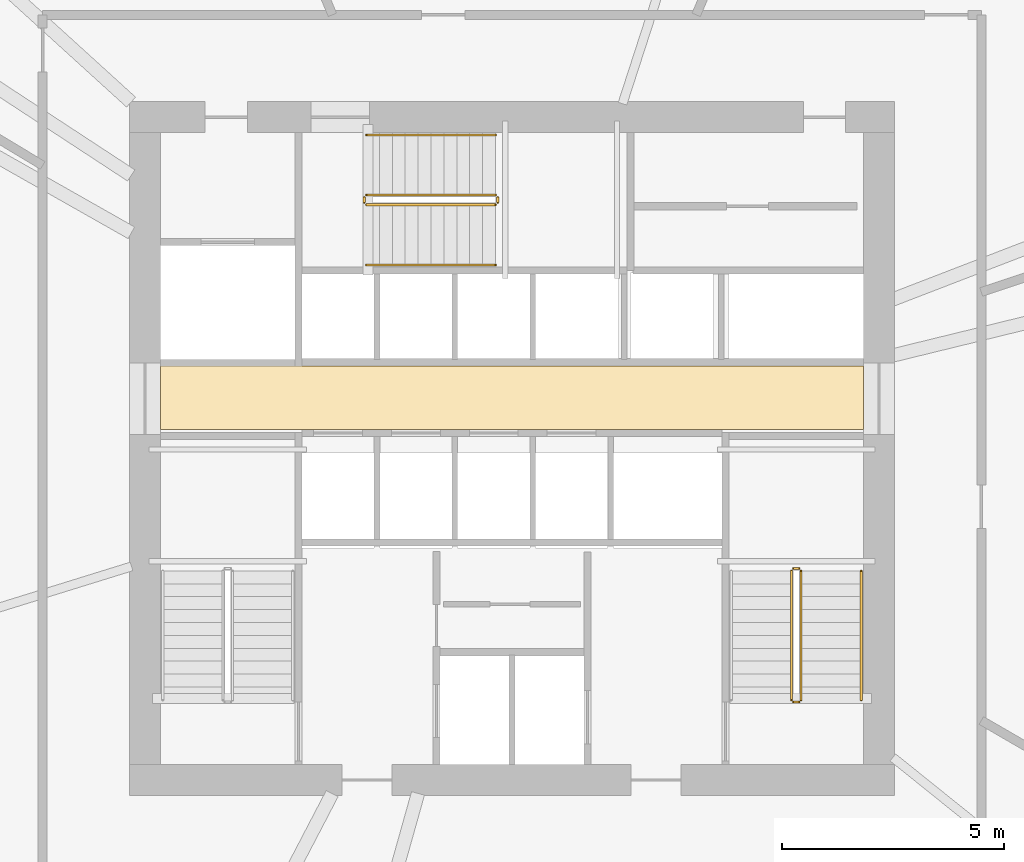
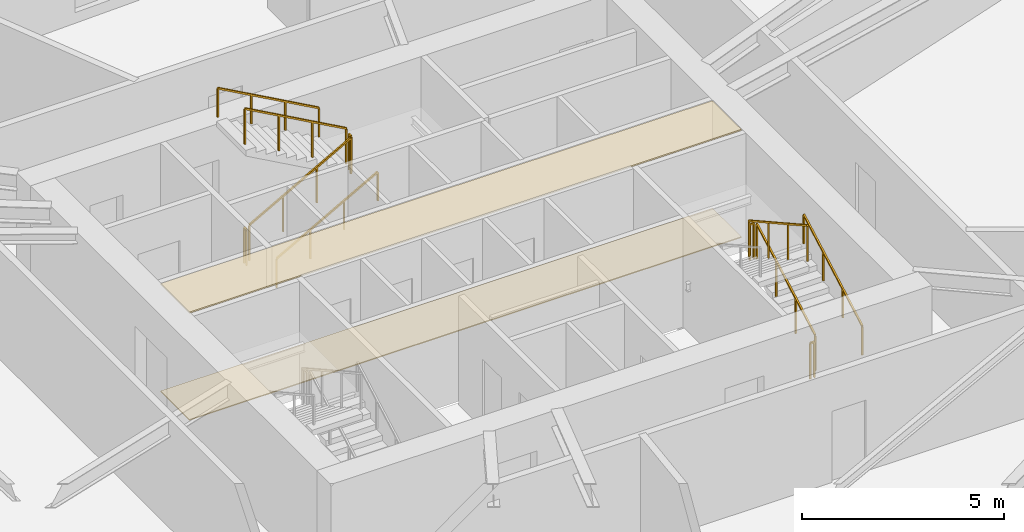
# One storey, part 18 of 19: 11 railings, 2 coverings.
"""IFC4 building model written with IfcOpenShell, lengths in metres."""

from ifc_helpers import new_model, si_unit, direction, frame, origin, origin_2d, place, context, subcontext, project, spatial, polyline, rectangle, outline, extrude, material, layer, layer_set, type_object, element, save


model = new_model("IFC4")

# Units and contexts
model_context = context("Model", 3, precision=1e-05, world=origin(), true_north=direction((0.0, 1.0)))
body_context = subcontext(model_context, "Body", "Model", "MODEL_VIEW")
ifc_project = project(units=[si_unit("LENGTHUNIT", "METRE"), si_unit("AREAUNIT", "SQUARE_METRE"), si_unit("VOLUMEUNIT", "CUBIC_METRE"), si_unit("PLANEANGLEUNIT", "RADIAN"), si_unit("MASSUNIT", "GRAM", prefix="KILO")], contexts=[model_context])

# Site, building, storey
site_placement = place(None, origin())
site = spatial("IfcSite", under=ifc_project, at=site_placement, CompositionType="ELEMENT")
building_placement = place(site_placement, origin())
building = spatial("IfcBuilding", under=site, at=building_placement, Name="Olszyna Solenne Hotel", CompositionType="ELEMENT")
storey_placement = place(building_placement, frame((0.0, 0.0, 102.14990234375)))
storey = spatial("IfcBuildingStorey", under=building, at=storey_placement, Name="L26", CompositionType="ELEMENT", Elevation=102.14990234375)

# Coverings
ifc_material_1 = material(Name="Mineral wool acoustic ceiling")
ifc_layer_1 = layer(ifc_material_1, 0.0400390625, Name="Mineral wool acoustic ceiling")
ifc_layer_set_1 = layer_set([ifc_layer_1], Name="Mineral wool acoustic ceiling")
covering_type_1 = type_object("IfcCoveringType", Name="CL-AC1", PredefinedType="CEILING", material=ifc_layer_set_1)
covering_1_placement = place(storey_placement, frame((0.0, 0.0, 3.239990234375)))
element("IfcCovering", 1, at=covering_1_placement, inside=storey, type_object=covering_type_1, Name="Lift lobby acoustic tile ceiling CL-L26-01", PredefinedType="CEILING", context=body_context, shape_type="SweptSolid", body=[
    extrude(outline(polyline([(30.10009765625, 27.030029296875), (45.89990234375, 27.030029296875), (45.89990234375, 28.4599609375), (30.10009765625, 28.4599609375), (30.10009765625, 27.030029296875)])), origin(), (0.0, 0.0, 1.0), 0.0400390625),
])
ifc_material_2 = material(Name="Ceramic floor tile")
ifc_layer_2 = layer(ifc_material_2, 0.030029296875, Name="Ceramic floor tile")
ifc_layer_set_2 = layer_set([ifc_layer_2], Name="Ceramic floor tile")
covering_type_2 = type_object("IfcCoveringType", Name="FL-TL1", PredefinedType="FLOORING", material=ifc_layer_set_2)
covering_2_placement = place(storey_placement, origin())
element("IfcCovering", 2, at=covering_2_placement, inside=storey, type_object=covering_type_2, Name="Lift lobby stoneware floor finish FLR-L26-01", PredefinedType="FLOORING", context=body_context, shape_type="SweptSolid", body=[
    extrude(outline(polyline([(30.10009765625, 27.030029296875), (45.89990234375, 27.030029296875), (45.89990234375, 28.4599609375), (30.10009765625, 28.4599609375), (30.10009765625, 27.030029296875)])), origin(), (0.0, 0.0, 1.0), 0.030029296875),
])

# Railings
ifc_material_3 = material(Name="Anodised bronze aluminium", Category="aluminium")
railing_type_1 = type_object("IfcRailingType", Name="GR-110", PredefinedType="BALUSTRADE", material=ifc_material_3)
railing_1_placement = place(storey_placement, frame((44.5, 20.949951171875, 0.161376953125)))
element("IfcRailing", 3, at=railing_1_placement, inside=storey, type_object=railing_type_1, Name="L26 ST2 stair guard 1", PredefinedType="BALUSTRADE", context=body_context, shape_type="SweptSolid", body=[
    extrude(rectangle(XDim=0.048095703125, YDim=0.048095703125, at=origin_2d()), frame((0.0, 0.0, 1.076171875), z_axis=(0.0, 0.873827439584, 0.48623616261), x_axis=(-1.0, 0.0, 0.0)), (0.0, 0.0, 1.0), 3.31884765625),
    extrude(rectangle(XDim=0.0419921875, YDim=0.0419921875, at=origin_2d()), origin(), (0.0, 0.0, 1.0), 1.052001953125),
    extrude(rectangle(XDim=0.0419921875, YDim=0.0419921875, at=origin_2d()), frame((0.0, 0.966796875, 0.537841796875)), (0.0, 0.0, 1.0), 1.052001953125),
    extrude(rectangle(XDim=0.0419921875, YDim=0.0419921875, at=origin_2d()), frame((0.0, 1.933349609375, 1.075927734375)), (0.0, 0.0, 1.0), 1.052001953125),
    extrude(rectangle(XDim=0.0419921875, YDim=0.0419921875, at=origin_2d()), frame((0.0, 2.900146484375, 1.61376953125)), (0.0, 0.0, 1.0), 1.052001953125),
])
railing_2_placement = place(storey_placement, frame((44.449951171875, 23.89990234375, 1.775146484375)))
element("IfcRailing", 4, at=railing_2_placement, inside=storey, type_object=railing_type_1, Name="L26 ST2 stair guard 2", PredefinedType="BALUSTRADE", context=body_context, shape_type="SweptSolid", body=[
    extrude(rectangle(XDim=0.048095703125, YDim=0.048095703125, at=origin_2d()), frame((0.0, 0.0, 1.076171875), z_axis=(-1.0, 0.0, 0.0), x_axis=(0.0, -1.0, 0.0)), (0.0, 0.0, 1.0), 0.119873046875),
    extrude(rectangle(XDim=0.0419921875, YDim=0.0419921875, at=origin_2d()), origin(), (0.0, 0.0, 1.0), 1.052001953125),
    extrude(rectangle(XDim=0.0419921875, YDim=0.0419921875, at=origin_2d()), frame((-0.119873046875, 0.0, 0.0)), (0.0, 0.0, 1.0), 1.052001953125),
])
railing_3_placement = place(storey_placement, frame((44.280029296875, 23.85009765625, 1.9365234375)))
element("IfcRailing", 5, at=railing_3_placement, inside=storey, type_object=railing_type_1, Name="L26 ST2 stair guard 3", PredefinedType="BALUSTRADE", context=body_context, shape_type="SweptSolid", body=[
    extrude(rectangle(XDim=0.048095703125, YDim=0.048095703125, at=origin_2d()), frame((0.0, 0.0, 1.076171875), z_axis=(0.0, -0.873858693841, 0.486179990537), x_axis=(1.0, 0.0, 0.0)), (0.0, 0.0, 1.0), 3.31884765625),
    extrude(rectangle(XDim=0.0419921875, YDim=0.0419921875, at=origin_2d()), origin(), (0.0, 0.0, 1.0), 1.052001953125),
    extrude(rectangle(XDim=0.0419921875, YDim=0.0419921875, at=origin_2d()), frame((0.0, -0.966796875, 0.537841796875)), (0.0, 0.0, 1.0), 1.052001953125),
    extrude(rectangle(XDim=0.0419921875, YDim=0.0419921875, at=origin_2d()), frame((0.0, -1.933349609375, 1.07568359375)), (0.0, 0.0, 1.0), 1.052001953125),
    extrude(rectangle(XDim=0.0419921875, YDim=0.0419921875, at=origin_2d()), frame((0.0, -2.900146484375, 1.613525390625)), (0.0, 0.0, 1.0), 1.052001953125),
])
railing_4_placement = place(storey_placement, frame((44.449951171875, 20.89990234375, 0.0)))
element("IfcRailing", 6, at=railing_4_placement, inside=storey, type_object=railing_type_1, Name="L26 ST2 stair guard 4", PredefinedType="BALUSTRADE", context=body_context, shape_type="SweptSolid", body=[
    extrude(rectangle(XDim=0.048095703125, YDim=0.048095703125, at=origin_2d()), frame((0.0, 0.0, 1.076171875), z_axis=(-1.0, 0.0, 0.0), x_axis=(0.0, -1.0, 0.0)), (0.0, 0.0, 1.0), 0.119873046875),
    extrude(rectangle(XDim=0.0419921875, YDim=0.0419921875, at=origin_2d()), origin(), (0.0, 0.0, 1.0), 1.052001953125),
    extrude(rectangle(XDim=0.0419921875, YDim=0.0419921875, at=origin_2d()), frame((-0.119873046875, 0.0, 0.0)), (0.0, 0.0, 1.0), 1.052001953125),
])
railing_5_placement = place(storey_placement, frame((34.72998046875, 32.080078125, 0.161376953125)))
element("IfcRailing", 7, at=railing_5_placement, inside=storey, type_object=railing_type_1, Name="L26 ST3 stair guard 1", PredefinedType="BALUSTRADE", context=body_context, shape_type="SweptSolid", body=[
    extrude(rectangle(XDim=0.048095703125, YDim=0.048095703125, at=origin_2d()), frame((0.0, 0.0, 1.076171875), z_axis=(0.873810046276, 0.0, 0.486267419253), x_axis=(0.0, 1.0, 0.0)), (0.0, 0.0, 1.0), 3.318603515625),
    extrude(rectangle(XDim=0.0419921875, YDim=0.0419921875, at=origin_2d()), origin(), (0.0, 0.0, 1.0), 1.052001953125),
    extrude(rectangle(XDim=0.0419921875, YDim=0.0419921875, at=origin_2d()), frame((0.966552734375, 0.0, 0.537841796875)), (0.0, 0.0, 1.0), 1.052001953125),
    extrude(rectangle(XDim=0.0419921875, YDim=0.0419921875, at=origin_2d()), frame((1.933349609375, 0.0, 1.075927734375)), (0.0, 0.0, 1.0), 1.052001953125),
    extrude(rectangle(XDim=0.0419921875, YDim=0.0419921875, at=origin_2d()), frame((2.89990234375, 0.0, 1.61376953125)), (0.0, 0.0, 1.0), 1.052001953125),
])
railing_6_placement = place(storey_placement, frame((37.679931640625, 32.1298828125, 1.775146484375)))
element("IfcRailing", 8, at=railing_6_placement, inside=storey, type_object=railing_type_1, Name="L26 ST3 stair guard 2", PredefinedType="BALUSTRADE", context=body_context, shape_type="SweptSolid", body=[
    extrude(rectangle(XDim=0.048095703125, YDim=0.048095703125, at=origin_2d()), frame((0.0, 0.0, 1.076171875), z_axis=(0.0, 1.0, 0.0), x_axis=(-1.0, 0.0, 0.0)), (0.0, 0.0, 1.0), 0.1201171875),
    extrude(rectangle(XDim=0.0419921875, YDim=0.0419921875, at=origin_2d()), origin(), (0.0, 0.0, 1.0), 1.052001953125),
    extrude(rectangle(XDim=0.0419921875, YDim=0.0419921875, at=origin_2d()), frame((0.0, 0.1201171875, 0.0)), (0.0, 0.0, 1.0), 1.052001953125),
])
railing_7_placement = place(storey_placement, frame((37.6298828125, 32.300048828125, 1.9365234375)))
element("IfcRailing", 9, at=railing_7_placement, inside=storey, type_object=railing_type_1, Name="L26 ST3 stair guard 3", PredefinedType="BALUSTRADE", context=body_context, shape_type="SweptSolid", body=[
    extrude(rectangle(XDim=0.048095703125, YDim=0.048095703125, at=origin_2d()), frame((0.0, 0.0, 1.076171875), z_axis=(-0.873841303929, 0.0, 0.486211245805), x_axis=(0.0, -1.0, 0.0)), (0.0, 0.0, 1.0), 3.318603515625),
    extrude(rectangle(XDim=0.0419921875, YDim=0.0419921875, at=origin_2d()), origin(), (0.0, 0.0, 1.0), 1.052001953125),
    extrude(rectangle(XDim=0.0419921875, YDim=0.0419921875, at=origin_2d()), frame((-0.966552734375, 0.0, 0.537841796875)), (0.0, 0.0, 1.0), 1.052001953125),
    extrude(rectangle(XDim=0.0419921875, YDim=0.0419921875, at=origin_2d()), frame((-1.933349609375, 0.0, 1.07568359375)), (0.0, 0.0, 1.0), 1.052001953125),
    extrude(rectangle(XDim=0.0419921875, YDim=0.0419921875, at=origin_2d()), frame((-2.89990234375, 0.0, 1.613525390625)), (0.0, 0.0, 1.0), 1.052001953125),
])
railing_8_placement = place(storey_placement, frame((34.679931640625, 32.1298828125, 0.0)))
element("IfcRailing", 10, at=railing_8_placement, inside=storey, type_object=railing_type_1, Name="L26 ST3 stair guard 4", PredefinedType="BALUSTRADE", context=body_context, shape_type="SweptSolid", body=[
    extrude(rectangle(XDim=0.048095703125, YDim=0.048095703125, at=origin_2d()), frame((0.0, 0.0, 1.076171875), z_axis=(0.0, 1.0, 0.0), x_axis=(-1.0, 0.0, 0.0)), (0.0, 0.0, 1.0), 0.1201171875),
    extrude(rectangle(XDim=0.0419921875, YDim=0.0419921875, at=origin_2d()), origin(), (0.0, 0.0, 1.0), 1.052001953125),
    extrude(rectangle(XDim=0.0419921875, YDim=0.0419921875, at=origin_2d()), frame((0.0, 0.1201171875, 0.0)), (0.0, 0.0, 1.0), 1.052001953125),
])
ifc_material_4 = material(Name="Steel S355J2", Category="steel")
railing_type_2 = type_object("IfcRailingType", Name="HR-090", PredefinedType="HANDRAIL", material=ifc_material_4)
railing_9_placement = place(storey_placement, frame((45.85009765625, 20.949951171875, 0.161376953125)))
element("IfcRailing", 11, at=railing_9_placement, inside=storey, type_object=railing_type_2, Name="L26 ST2 stair handrail 1", PredefinedType="HANDRAIL", context=body_context, shape_type="SweptSolid", body=[
    extrude(rectangle(XDim=0.048095703125, YDim=0.048095703125, at=origin_2d()), frame((0.0, 0.0, 0.8759765625), z_axis=(0.0, 0.873827439584, 0.48623616261), x_axis=(-1.0, 0.0, 0.0)), (0.0, 0.0, 1.0), 3.31884765625),
    extrude(rectangle(XDim=0.0419921875, YDim=0.0419921875, at=origin_2d()), origin(), (0.0, 0.0, 1.0), 0.851806640625),
    extrude(rectangle(XDim=0.0419921875, YDim=0.0419921875, at=origin_2d()), frame((0.0, 0.966796875, 0.537841796875)), (0.0, 0.0, 1.0), 0.851806640625),
    extrude(rectangle(XDim=0.0419921875, YDim=0.0419921875, at=origin_2d()), frame((0.0, 1.933349609375, 1.075927734375)), (0.0, 0.0, 1.0), 0.851806640625),
    extrude(rectangle(XDim=0.0419921875, YDim=0.0419921875, at=origin_2d()), frame((0.0, 2.900146484375, 1.61376953125)), (0.0, 0.0, 1.0), 0.851806640625),
])
railing_10_placement = place(storey_placement, frame((34.72998046875, 30.72998046875, 0.161376953125)))
element("IfcRailing", 12, at=railing_10_placement, inside=storey, type_object=railing_type_2, Name="L26 ST3 stair handrail 1", PredefinedType="HANDRAIL", context=body_context, shape_type="SweptSolid", body=[
    extrude(rectangle(XDim=0.048095703125, YDim=0.048095703125, at=origin_2d()), frame((0.0, 0.0, 0.8759765625), z_axis=(0.873810046276, 0.0, 0.486267419253), x_axis=(0.0, 1.0, 0.0)), (0.0, 0.0, 1.0), 3.318603515625),
    extrude(rectangle(XDim=0.0419921875, YDim=0.0419921875, at=origin_2d()), origin(), (0.0, 0.0, 1.0), 0.851806640625),
    extrude(rectangle(XDim=0.0419921875, YDim=0.0419921875, at=origin_2d()), frame((0.966552734375, 0.0, 0.537841796875)), (0.0, 0.0, 1.0), 0.851806640625),
    extrude(rectangle(XDim=0.0419921875, YDim=0.0419921875, at=origin_2d()), frame((1.933349609375, 0.0, 1.075927734375)), (0.0, 0.0, 1.0), 0.851806640625),
    extrude(rectangle(XDim=0.0419921875, YDim=0.0419921875, at=origin_2d()), frame((2.89990234375, 0.0, 1.61376953125)), (0.0, 0.0, 1.0), 0.851806640625),
])
railing_11_placement = place(storey_placement, frame((37.6298828125, 33.64990234375, 1.9365234375)))
element("IfcRailing", 13, at=railing_11_placement, inside=storey, type_object=railing_type_2, Name="L26 ST3 stair handrail 2", PredefinedType="HANDRAIL", context=body_context, shape_type="SweptSolid", body=[
    extrude(rectangle(XDim=0.048095703125, YDim=0.048095703125, at=origin_2d()), frame((0.0, 0.0, 0.8759765625), z_axis=(-0.873841303929, 0.0, 0.486211245805), x_axis=(0.0, -1.0, 0.0)), (0.0, 0.0, 1.0), 3.318603515625),
    extrude(rectangle(XDim=0.0419921875, YDim=0.0419921875, at=origin_2d()), origin(), (0.0, 0.0, 1.0), 0.851806640625),
    extrude(rectangle(XDim=0.0419921875, YDim=0.0419921875, at=origin_2d()), frame((-0.966552734375, 0.0, 0.537841796875)), (0.0, 0.0, 1.0), 0.851806640625),
    extrude(rectangle(XDim=0.0419921875, YDim=0.0419921875, at=origin_2d()), frame((-1.933349609375, 0.0, 1.07568359375)), (0.0, 0.0, 1.0), 0.851806640625),
    extrude(rectangle(XDim=0.0419921875, YDim=0.0419921875, at=origin_2d()), frame((-2.89990234375, 0.0, 1.613525390625)), (0.0, 0.0, 1.0), 0.851806640625),
])

save(model, "model.ifc")
